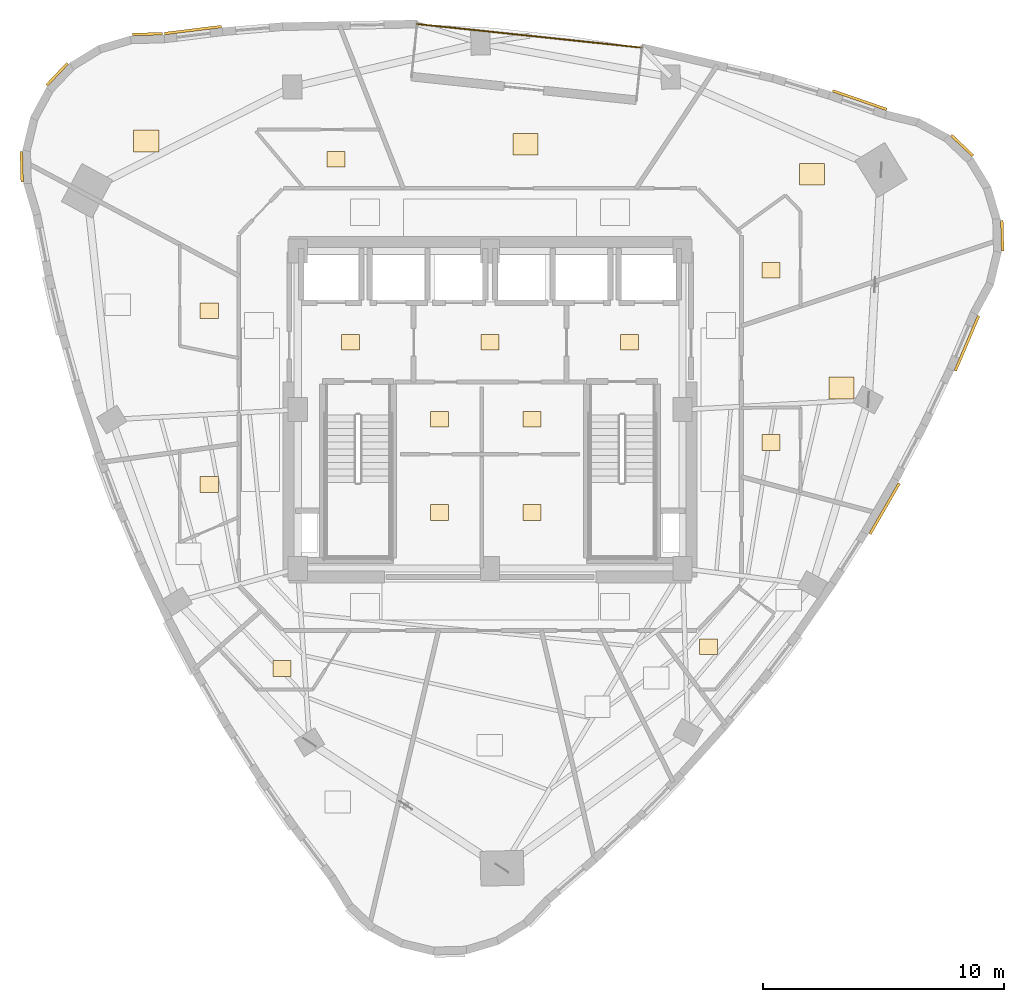
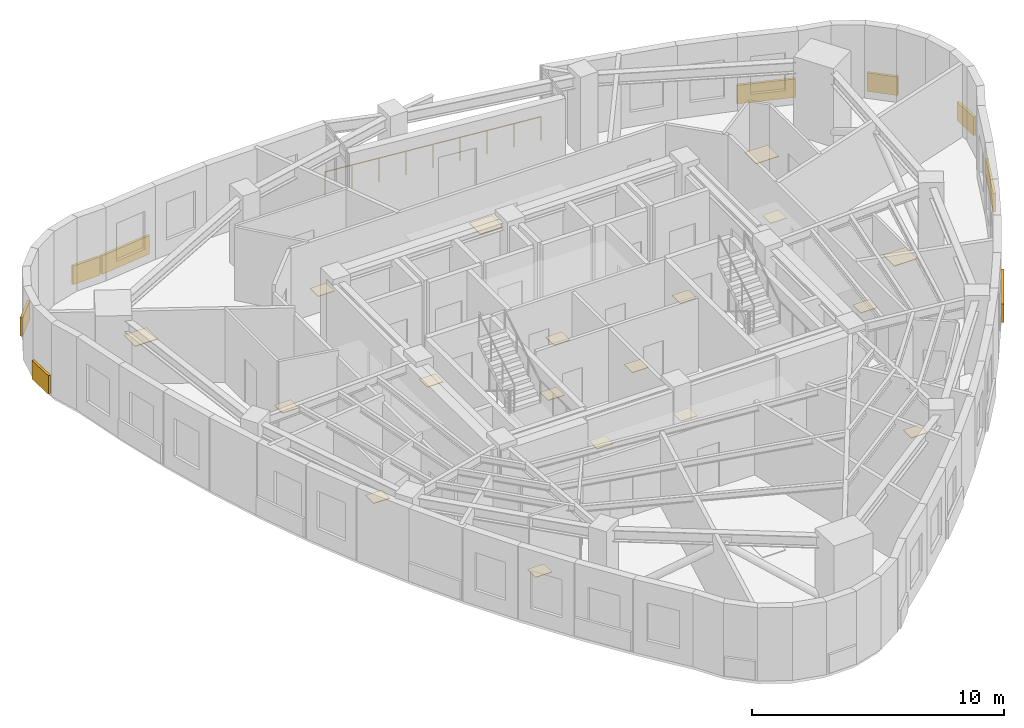
# One storey, part 12 of 12: 27 coverings, 1 railing.
"""IFC4 building model written with IfcOpenShell, lengths in metres."""

from ifc_helpers import new_model, si_unit, direction, frame, origin, origin_2d, place, context, subcontext, project, spatial, rectangle, circle, extrude, material, layer, layer_set, type_object, element, save


model = new_model("IFC4")

# Units and contexts
model_context = context("Model", 3, precision=1e-05, world=origin(), true_north=direction((0.0, 1.0)))
body_context = subcontext(model_context, "Body", "Model", "MODEL_VIEW")
ifc_project = project(units=[si_unit("LENGTHUNIT", "METRE"), si_unit("AREAUNIT", "SQUARE_METRE"), si_unit("VOLUMEUNIT", "CUBIC_METRE"), si_unit("PLANEANGLEUNIT", "RADIAN"), si_unit("MASSUNIT", "GRAM", prefix="KILO")], contexts=[model_context])

# Site, building, storey
site_placement = place(None, origin())
site = spatial("IfcSite", under=ifc_project, at=site_placement, CompositionType="ELEMENT")
building_placement = place(site_placement, origin())
building = spatial("IfcBuilding", under=site, at=building_placement, Name="Ndelora Gate Hotel", CompositionType="ELEMENT")
storey_placement = place(building_placement, frame((0.0, 0.0, 190.35009765625)))
storey = spatial("IfcBuildingStorey", under=building, at=storey_placement, Name="L47", CompositionType="ELEMENT", Elevation=190.35009765625)

# Coverings
ifc_material_1 = material(Name="Terracotta Fired Clay Brick Slip Cladding", Category="masonry")
ifc_layer_1 = layer(ifc_material_1, 0.110107421875)
ifc_layer_set_1 = layer_set([ifc_layer_1], Name="Terracotta Fired Clay Brick Slip Cladding")
covering_type_1 = type_object("IfcCoveringType", Name="COV-CLAD-BRK", PredefinedType="CLADDING", material=ifc_layer_set_1)
for number, where, z_axis, x_axis, name in (
    (1, (-14.240478515625, 15.6162109375, 0.099853515625), (0.0, 0.0, 1.0), (0.999657324976, 0.026176948308, 0.0), "L47 Rounded-Corner Brick Cladding Band 1"),
    (2, (-17.997802734375, 13.943359375, 0.099853515625), (0.0, 0.0, 1.0), (0.688354575694, 0.725374371012, 0.0), "L47 Rounded-Corner Brick Cladding Band 4"),
    (3, (-19.471923828125, 10.103515625, 0.099853515625), (0.0, 0.0, 1.0), (-0.026176948308, 0.999657324976, 0.0), "L47 Rounded-Corner Brick Cladding Band 7"),
):
    element("IfcCovering", number, at=place(storey_placement, frame(where, z_axis=z_axis, x_axis=x_axis)), inside=storey, type_object=covering_type_1, Name=name, PredefinedType="CLADDING", context=body_context, shape_type="SweptSolid", body=[
        extrude(rectangle(XDim=1.257080078125, YDim=0.110107421875, at=origin_2d()), origin(), (0.0, 0.0, 1.0), 0.89990234375),
    ])
covering_1_placement = place(storey_placement, frame((16.402099609375, -4.114990234375, 0.099853515625), z_axis=(0.0, 0.0, 1.0), x_axis=(0.500151142331, 0.865938124132, 0.0)))
element("IfcCovering", 4, at=covering_1_placement, inside=storey, type_object=covering_type_1, Name="L47 Rounded-Corner Brick Cladding Band 37", PredefinedType="CLADDING", context=body_context, shape_type="SweptSolid", body=[
    extrude(rectangle(XDim=2.428955078125, YDim=0.110107421875, at=origin_2d()), origin(), (0.0, 0.0, 1.0), 0.89990234375),
])
covering_2_placement = place(storey_placement, frame((19.8251953125, 2.758544921875, 0.099853515625), z_axis=(0.0, 0.0, 1.0), x_axis=(0.390731128489, 0.920504853452, 0.0)))
element("IfcCovering", 5, at=covering_2_placement, inside=storey, type_object=covering_type_1, Name="L47 Rounded-Corner Brick Cladding Band 40", PredefinedType="CLADDING", context=body_context, shape_type="SweptSolid", body=[
    extrude(rectangle(XDim=2.48193359375, YDim=0.110107421875, at=origin_2d()), origin(), (0.0, 0.0, 1.0), 0.89990234375),
])
for number, where, z_axis, x_axis, name in (
    (6, (21.293701171875, 7.2294921875, 0.099853515625), (0.0, 0.0, 1.0), (-0.026176948308, 0.999657324976, 0.0), "L47 Rounded-Corner Brick Cladding Band 43"),
    (7, (19.620849609375, 10.98681640625, 0.099853515625), (0.0, 0.0, 1.0), (-0.725374371012, 0.688354575694, 0.0), "L47 Rounded-Corner Brick Cladding Band 46"),
):
    element("IfcCovering", number, at=place(storey_placement, frame(where, z_axis=z_axis, x_axis=x_axis)), inside=storey, type_object=covering_type_1, Name=name, PredefinedType="CLADDING", context=body_context, shape_type="SweptSolid", body=[
        extrude(rectangle(XDim=1.257080078125, YDim=0.110107421875, at=origin_2d()), origin(), (0.0, 0.0, 1.0), 0.89990234375),
    ])
for number, where, z_axis, x_axis, name in (
    (8, (15.36474609375, 12.87109375, 0.099853515625), (0.0, 0.0, 1.0), (-0.945291055751, 0.326228171556, 0.0), "L47 Rounded-Corner Brick Cladding Band 49"),
    (9, (-12.35302734375, 15.784423828125, 0.099853515625), (0.0, 0.0, 1.0), (0.992460828919, 0.122562241583, 0.0), "L47 Rounded-Corner Brick Cladding Band 58"),
):
    element("IfcCovering", number, at=place(storey_placement, frame(where, z_axis=z_axis, x_axis=x_axis)), inside=storey, type_object=covering_type_1, Name=name, PredefinedType="CLADDING", context=body_context, shape_type="SweptSolid", body=[
        extrude(rectangle(XDim=2.37890625, YDim=0.110107421875, at=origin_2d()), origin(), (0.0, 0.0, 1.0), 0.89990234375),
    ])
ifc_material_2 = material(Name="Engineered Highland Oak Parquet", Category="wood")
ifc_layer_2 = layer(ifc_material_2, 0.030029296875)
ifc_layer_set_2 = layer_set([ifc_layer_2], Name="Engineered Highland Oak Parquet")
covering_type_2 = type_object("IfcCoveringType", Name="COV-FLR-PARQ", PredefinedType="FLOORING", material=ifc_layer_set_2)
for number, where, z_axis, x_axis, name in (
    (10, (14.604736328125, 0.9033203125, 0.0), (0.0, 0.0, 1.0), (1.0, 0.0, 0.0), "L47 Altitude King Guest Room 5002 Oak Parquet Flooring"),
    (11, (13.38671875, 9.787841796875, 0.0), (0.0, 0.0, 1.0), (1.0, 0.0, 0.0), "L47 Corner Sky Suite 5003 Oak Parquet Flooring"),
    (12, (1.473388671875, 11.032470703125, 0.0), (0.0, 0.0, 1.0), (1.0, 0.0, 0.0), "L47 Sky Garden Tea Dining Room Oak Parquet Flooring"),
    (13, (-14.2919921875, 11.16796875, 0.0), (0.0, 0.0, 1.0), (1.0, 0.0, 0.0), "L47 Grand Ambassador Suite 5004 Oak Parquet Flooring"),
):
    element("IfcCovering", number, at=place(storey_placement, frame(where, z_axis=z_axis, x_axis=x_axis)), inside=storey, type_object=covering_type_2, Name=name, PredefinedType="FLOORING", context=body_context, shape_type="SweptSolid", body=[
        extrude(rectangle(XDim=1.050048828125, YDim=0.89990234375, at=origin_2d()), origin(), (0.0, 0.0, 1.0), 0.030029296875),
    ])
ifc_material_3 = material(Name="Non-Slip Porcelain Wet-Room Tile", Category="ceramic")
ifc_layer_3 = layer(ifc_material_3, 0.02490234375)
ifc_layer_set_3 = layer_set([ifc_layer_3], Name="Non-Slip Porcelain Wet-Room Tile")
covering_type_3 = type_object("IfcCoveringType", Name="COV-FLR-TILE", PredefinedType="FLOORING", material=ifc_layer_set_3)
for number, where, z_axis, x_axis, name in (
    (14, (-5.800048828125, 2.800048828125, 0.0), (0.0, 0.0, 1.0), (1.0, 0.0, 0.0), "L47 Firefighting Lift Lobby West Porcelain Tile Flooring"),
    (15, (5.800048828125, 2.800048828125, 0.0), (0.0, 0.0, 1.0), (1.0, 0.0, 0.0), "L47 Firefighting Lift Lobby East Porcelain Tile Flooring"),
    (16, (0.0, 2.800048828125, 0.0), (0.0, 0.0, 1.0), (1.0, 0.0, 0.0), "L47 Central Passenger Lift Lobby Porcelain Tile Flooring"),
    (17, (-2.10009765625, -0.39990234375, 0.0), (0.0, 0.0, 1.0), (1.0, 0.0, 0.0), "L47 Core Electrical Closet Porcelain Tile Flooring"),
    (18, (1.75, -0.39990234375, 0.0), (0.0, 0.0, 1.0), (1.0, 0.0, 0.0), "L47 Comms Patching Store Porcelain Tile Flooring"),
    (19, (-2.10009765625, -4.27490234375, 0.0), (0.0, 0.0, 1.0), (1.0, 0.0, 0.0), "L47 Valet Laundry Store Porcelain Tile Flooring"),
    (20, (1.75, -4.27490234375, 0.0), (0.0, 0.0, 1.0), (1.0, 0.0, 0.0), "L47 Housekeeping Reserve Store Porcelain Tile Flooring"),
    (21, (9.085693359375, -9.85888671875, 0.0), (0.0, 0.0, 1.0), (1.0, 0.0, 0.0), "L47 En-suite Bathroom 5001 Porcelain Tile Flooring"),
    (22, (11.675048828125, -1.361083984375, 0.0), (0.0, 0.0, 1.0), (1.0, 0.0, 0.0), "L47 En-suite Bathroom 5002 Porcelain Tile Flooring"),
    (23, (11.675048828125, 5.8046875, 0.0), (0.0, 0.0, 1.0), (1.0, 0.0, 0.0), "L47 En-suite Bathroom 5003 Porcelain Tile Flooring"),
    (24, (-6.4130859375, 10.40869140625, 0.0), (0.0, 0.0, 1.0), (1.0, 0.0, 0.0), "L47 En-suite Bathroom 5004 Porcelain Tile Flooring"),
    (25, (-11.675048828125, 4.113037109375, 0.0), (0.0, 0.0, 1.0), (1.0, 0.0, 0.0), "L47 En-suite Bathroom 5005 Porcelain Tile Flooring"),
    (26, (-11.675048828125, -3.110595703125, 0.0), (0.0, 0.0, 1.0), (1.0, 0.0, 0.0), "L47 En-suite Bathroom 5006 Porcelain Tile Flooring"),
    (27, (-8.656494140625, -10.7568359375, 0.0), (0.0, 0.0, 1.0), (1.0, 0.0, 0.0), "L47 En-suite Bathroom 5007 Porcelain Tile Flooring"),
):
    element("IfcCovering", number, at=place(storey_placement, frame(where, z_axis=z_axis, x_axis=x_axis)), inside=storey, type_object=covering_type_3, Name=name, PredefinedType="FLOORING", context=body_context, shape_type="SweptSolid", body=[
        extrude(rectangle(XDim=0.75, YDim=0.64990234375, at=origin_2d()), origin(), (0.0, 0.0, 1.0), 0.02490234375),
    ])

# Railing
ifc_material_4 = material(Name="Laminated Safety Glass and Bronze Top Rail", Category="glass")
ifc_layer_4 = layer(ifc_material_4, 0.070068359375)
ifc_layer_set_4 = layer_set([ifc_layer_4], Name="Laminated Safety Glass and Bronze Top Rail")
railing_type = type_object("IfcRailingType", Name="RL-BAL-1150", PredefinedType="BALUSTRADE", material=ifc_layer_set_4)
railing_placement = place(storey_placement, frame((6.30810546875, 15.052978515625, 0.0)))
element("IfcRailing", 28, at=railing_placement, inside=storey, type_object=railing_type, Name="L47 Sky-Garden Loggia Terrace Balustrade", PredefinedType="BALUSTRADE", context=body_context, shape_type="SweptSolid", body=[
    extrude(circle(Radius=0.02392578125, at=origin_2d()), frame((0.0, 0.0, 1.1357421875), z_axis=(-0.994520954065, 0.104537418785, 0.0), x_axis=(-0.104537418785, -0.994520954065, 0.0)), (0.0, 0.0, 1.0), 9.400146484375),
    extrude(circle(Radius=0.02099609375, at=origin_2d()), origin(), (0.0, 0.0, 1.0), 1.11181640625),
    extrude(circle(Radius=0.02099609375, at=origin_2d()), frame((-1.16845703125, 0.122802734375, 0.0)), (0.0, 0.0, 1.0), 1.11181640625),
    extrude(circle(Radius=0.02099609375, at=origin_2d()), frame((-2.337158203125, 0.24560546875, 0.0)), (0.0, 0.0, 1.0), 1.11181640625),
    extrude(circle(Radius=0.02099609375, at=origin_2d()), frame((-3.505859375, 0.368408203125, 0.0)), (0.0, 0.0, 1.0), 1.11181640625),
    extrude(circle(Radius=0.02099609375, at=origin_2d()), frame((-4.67431640625, 0.4912109375, 0.0)), (0.0, 0.0, 1.0), 1.11181640625),
    extrude(circle(Radius=0.02099609375, at=origin_2d()), frame((-5.8427734375, 0.6142578125, 0.0)), (0.0, 0.0, 1.0), 1.11181640625),
    extrude(circle(Radius=0.02099609375, at=origin_2d()), frame((-7.011474609375, 0.737060546875, 0.0)), (0.0, 0.0, 1.0), 1.11181640625),
    extrude(circle(Radius=0.02099609375, at=origin_2d()), frame((-8.18017578125, 0.85986328125, 0.0)), (0.0, 0.0, 1.0), 1.11181640625),
    extrude(circle(Radius=0.02099609375, at=origin_2d()), frame((-9.3486328125, 0.982666015625, 0.0)), (0.0, 0.0, 1.0), 1.11181640625),
])

save(model, "model.ifc")
